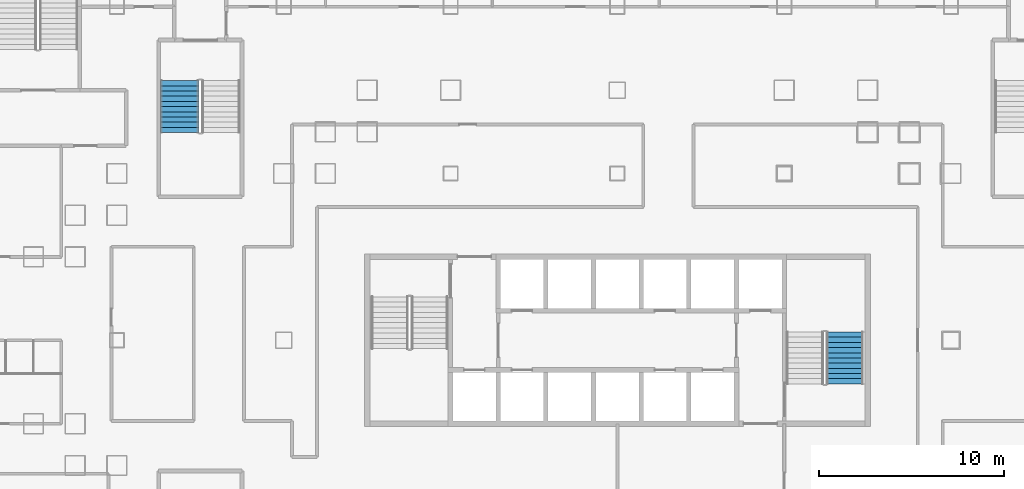
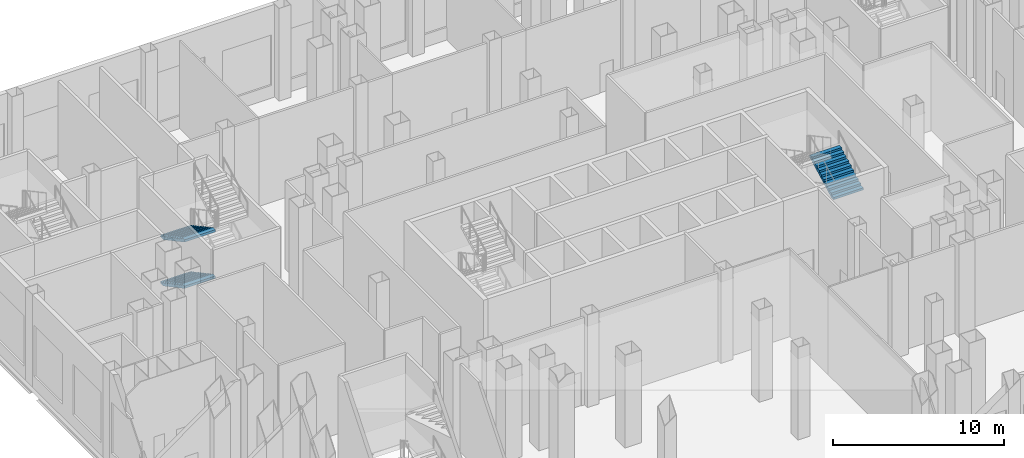
# One storey, part 14 of 26: 3 stair flights, 2 elements without a shape of their own.
"""IFC4 building model written with IfcOpenShell, lengths in metres."""

from ifc_helpers import new_model, si_unit, direction, frame, origin, place, context, subcontext, project, spatial, polygons, material, type_object, element, aggregate, save


model = new_model("IFC4")

# Units and contexts
model_context = context("Model", 3, precision=1e-05, world=origin(), true_north=direction((0.0, 1.0)))
body_context = subcontext(model_context, "Body", "Model", "MODEL_VIEW")
ifc_project = project(units=[si_unit("LENGTHUNIT", "METRE"), si_unit("AREAUNIT", "SQUARE_METRE"), si_unit("VOLUMEUNIT", "CUBIC_METRE"), si_unit("PLANEANGLEUNIT", "RADIAN"), si_unit("MASSUNIT", "GRAM", prefix="KILO")], contexts=[model_context])

# Site, building, storey
site_placement = place(None, origin())
site = spatial("IfcSite", under=ifc_project, at=site_placement, CompositionType="ELEMENT")
building_placement = place(site_placement, origin())
building = spatial("IfcBuilding", under=site, at=building_placement, Name="Caravel Reach Hotel and Residences", CompositionType="ELEMENT")
storey_placement = place(building_placement, frame((0.0, 0.0, 17.39990234375)))
storey = spatial("IfcBuildingStorey", under=building, at=storey_placement, Name="L03", CompositionType="ELEMENT", Elevation=17.39990234375)

# Stair, stair flight
ifc_material_1 = material(Name="Concrete C40", Category="concrete")
stair_type = type_object("IfcStairType", Name="Core stair", PredefinedType="HALF_TURN_STAIR", material=ifc_material_1)
stair_1_placement = place(storey_placement, origin())
stair_1 = element("IfcStair", 1, at=stair_1_placement, inside=storey, type_object=stair_type, Name="L03 Exit stair B", PredefinedType="HALF_TURN_STAIR")
ifc_material_2 = material(Name="Concrete C40", Category="concrete")
stair_flight_type = type_object("IfcStairFlightType", Name="Core stair flight", PredefinedType="STRAIGHT", material=ifc_material_2)
stair_flight_1_placement = place(storey_placement, frame((43.77490234375, 24.64990234375, 3.300048828125), z_axis=(0.0, 0.0, 1.0), x_axis=(0.0, 1.0, 0.0)))
stair_flight_1 = element("IfcStairFlight", 2, at=stair_flight_1_placement, type_object=stair_flight_type, Name="ST-B flight 3", NumberOfRisers=11, NumberOfTreads=10, PredefinedType="STRAIGHT", RiserHeight=0.15, TreadLength=0.28, context=body_context, shape_type="Tessellation", body=[
    polygons([(0.3174408016601862, 1.0, 0.0), (0.3174408016601862, 0.6666666666666667, 0.0), (0.3174408016601862, 0.33333333333333337, 0.0), (0.3174408016601862, 0.0, 0.0), (0.3174408016601862, -0.33333333333333326, 0.0), (0.3174408016601862, -0.6666666666666667, 0.0), (0.3174408016601862, -1.0, 0.0), (2.801, 1.0, 1.329942427682043), (2.801, 0.6666666666666667, 1.329942427682043), (2.801, 0.33333333333333337, 1.329942427682043), (2.801, 0.0, 1.329942427682043), (2.801, -0.33333333333333326, 1.329942427682043), (2.801, -0.6666666666666667, 1.329942427682043), (2.801, -1.0, 1.329942427682043), (2.801, 1.0, 1.5), (2.801, 0.6666666666666667, 1.5), (2.801, 0.33333333333333337, 1.5), (2.801, 0.0, 1.5), (2.801, -0.33333333333333326, 1.5), (2.801, -0.6666666666666667, 1.5), (2.801, -1.0, 1.5), (2.5200000000000005, 1.0, 1.5), (2.5200000000000005, 0.6666666666666667, 1.5), (2.5200000000000005, 0.33333333333333337, 1.5), (2.5200000000000005, 0.0, 1.5), (2.5200000000000005, -0.33333333333333326, 1.5), (2.5200000000000005, -0.6666666666666667, 1.5), (2.5200000000000005, -1.0, 1.5), (2.5200000000000005, 1.0, 1.3499999999999999), (2.5200000000000005, 0.6666666666666667, 1.3499999999999999), (2.5200000000000005, 0.33333333333333337, 1.3499999999999999), (2.5200000000000005, 0.0, 1.3499999999999999), (2.5200000000000005, -0.33333333333333326, 1.3499999999999999), (2.5200000000000005, -0.6666666666666667, 1.3499999999999999), (2.5200000000000005, -1.0, 1.3499999999999999), (2.24, 1.0, 1.3499999999999999), (2.24, 0.6666666666666667, 1.3499999999999999), (2.24, 0.33333333333333337, 1.3499999999999999), (2.24, 0.0, 1.3499999999999999), (2.24, -0.33333333333333326, 1.3499999999999999), (2.24, -0.6666666666666667, 1.3499999999999999), (2.24, -1.0, 1.3499999999999999), (2.24, 1.0, 1.2), (2.24, 0.6666666666666667, 1.2), (2.24, 0.33333333333333337, 1.2), (2.24, 0.0, 1.2), (2.24, -0.33333333333333326, 1.2), (2.24, -0.6666666666666667, 1.2), (2.24, -1.0, 1.2), (1.9600000000000002, 1.0, 1.2), (1.9600000000000002, 0.6666666666666667, 1.2), (1.9600000000000002, 0.33333333333333337, 1.2), (1.9600000000000002, 0.0, 1.2), (1.9600000000000002, -0.33333333333333326, 1.2), (1.9600000000000002, -0.6666666666666667, 1.2), (1.9600000000000002, -1.0, 1.2), (1.9600000000000002, 1.0, 1.05), (1.9600000000000002, 0.6666666666666667, 1.05), (1.9600000000000002, 0.33333333333333337, 1.05), (1.9600000000000002, 0.0, 1.05), (1.9600000000000002, -0.33333333333333326, 1.05), (1.9600000000000002, -0.6666666666666667, 1.05), (1.9600000000000002, -1.0, 1.05), (1.6800000000000002, 1.0, 1.05), (1.6800000000000002, 0.6666666666666667, 1.05), (1.6800000000000002, 0.33333333333333337, 1.05), (1.6800000000000002, 0.0, 1.05), (1.6800000000000002, -0.33333333333333326, 1.05), (1.6800000000000002, -0.6666666666666667, 1.05), (1.6800000000000002, -1.0, 1.05), (1.6800000000000002, 1.0, 0.8999999999999999), (1.6800000000000002, 0.6666666666666667, 0.8999999999999999), (1.6800000000000002, 0.33333333333333337, 0.8999999999999999), (1.6800000000000002, 0.0, 0.8999999999999999), (1.6800000000000002, -0.33333333333333326, 0.8999999999999999), (1.6800000000000002, -0.6666666666666667, 0.8999999999999999), (1.6800000000000002, -1.0, 0.8999999999999999), (1.4000000000000001, 1.0, 0.8999999999999999), (1.4000000000000001, 0.6666666666666667, 0.8999999999999999), (1.4000000000000001, 0.33333333333333337, 0.8999999999999999), (1.4000000000000001, 0.0, 0.8999999999999999), (1.4000000000000001, -0.33333333333333326, 0.8999999999999999), (1.4000000000000001, -0.6666666666666667, 0.8999999999999999), (1.4000000000000001, -1.0, 0.8999999999999999), (1.4000000000000001, 1.0, 0.75), (1.4000000000000001, 0.6666666666666667, 0.75), (1.4000000000000001, 0.33333333333333337, 0.75), (1.4000000000000001, 0.0, 0.75), (1.4000000000000001, -0.33333333333333326, 0.75), (1.4000000000000001, -0.6666666666666667, 0.75), (1.4000000000000001, -1.0, 0.75), (1.12, 1.0, 0.75), (1.12, 0.6666666666666667, 0.75), (1.12, 0.33333333333333337, 0.75), (1.12, 0.0, 0.75), (1.12, -0.33333333333333326, 0.75), (1.12, -0.6666666666666667, 0.75), (1.12, -1.0, 0.75), (1.12, 1.0, 0.6), (1.12, 0.6666666666666667, 0.6), (1.12, 0.33333333333333337, 0.6), (1.12, 0.0, 0.6), (1.12, -0.33333333333333326, 0.6), (1.12, -0.6666666666666667, 0.6), (1.12, -1.0, 0.6), (0.8400000000000001, 1.0, 0.6), (0.8400000000000001, 0.6666666666666667, 0.6), (0.8400000000000001, 0.33333333333333337, 0.6), (0.8400000000000001, 0.0, 0.6), (0.8400000000000001, -0.33333333333333326, 0.6), (0.8400000000000001, -0.6666666666666667, 0.6), (0.8400000000000001, -1.0, 0.6), (0.8400000000000001, 1.0, 0.44999999999999996), (0.8400000000000001, 0.6666666666666667, 0.44999999999999996), (0.8400000000000001, 0.33333333333333337, 0.44999999999999996), (0.8400000000000001, 0.0, 0.44999999999999996), (0.8400000000000001, -0.33333333333333326, 0.44999999999999996), (0.8400000000000001, -0.6666666666666667, 0.44999999999999996), (0.8400000000000001, -1.0, 0.44999999999999996), (0.56, 1.0, 0.44999999999999996), (0.56, 0.6666666666666667, 0.44999999999999996), (0.56, 0.33333333333333337, 0.44999999999999996), (0.56, 0.0, 0.44999999999999996), (0.56, -0.33333333333333326, 0.44999999999999996), (0.56, -0.6666666666666667, 0.44999999999999996), (0.56, -1.0, 0.44999999999999996), (0.56, 1.0, 0.3), (0.56, 0.6666666666666667, 0.3), (0.56, 0.33333333333333337, 0.3), (0.56, 0.0, 0.3), (0.56, -0.33333333333333326, 0.3), (0.56, -0.6666666666666667, 0.3), (0.56, -1.0, 0.3), (0.28, 1.0, 0.3), (0.28, 0.6666666666666667, 0.3), (0.28, 0.33333333333333337, 0.3), (0.28, 0.0, 0.3), (0.28, -0.33333333333333326, 0.3), (0.28, -0.6666666666666667, 0.3), (0.28, -1.0, 0.3), (0.28, 1.0, 0.15), (0.28, 0.6666666666666667, 0.15), (0.28, 0.33333333333333337, 0.15), (0.28, 0.0, 0.15), (0.28, -0.33333333333333326, 0.15), (0.28, -0.6666666666666667, 0.15), (0.28, -1.0, 0.15), (-0.001, 1.0, 0.15), (-0.001, 0.6666666666666667, 0.15), (-0.001, 0.33333333333333337, 0.15), (-0.001, 0.0, 0.15), (-0.001, -0.33333333333333326, 0.15), (-0.001, -0.6666666666666667, 0.15), (-0.001, -1.0, 0.15), (-0.001, 1.0, 0.0), (-0.001, 0.6666666666666667, 0.0), (-0.001, 0.33333333333333337, 0.0), (-0.001, 0.0, 0.0), (-0.001, -0.33333333333333326, 0.0), (-0.001, -0.6666666666666667, 0.0), (-0.001, -1.0, 0.0)], [[[155, 148, 141, 134, 127, 120, 113, 106, 99, 92, 85, 78, 71, 64, 57, 50, 43, 36, 29, 22, 15, 8, 1]], [[7, 14, 21, 28, 35, 42, 49, 56, 63, 70, 77, 84, 91, 98, 105, 112, 119, 126, 133, 140, 147, 154, 161]], [[1, 8, 9, 2]], [[2, 9, 10, 3]], [[3, 10, 11, 4]], [[4, 11, 12, 5]], [[5, 12, 13, 6]], [[6, 13, 14, 7]], [[8, 15, 16, 9]], [[9, 16, 17, 10]], [[10, 17, 18, 11]], [[11, 18, 19, 12]], [[12, 19, 20, 13]], [[13, 20, 21, 14]], [[15, 22, 23, 16]], [[16, 23, 24, 17]], [[17, 24, 25, 18]], [[18, 25, 26, 19]], [[19, 26, 27, 20]], [[20, 27, 28, 21]], [[22, 29, 30, 23]], [[23, 30, 31, 24]], [[24, 31, 32, 25]], [[25, 32, 33, 26]], [[26, 33, 34, 27]], [[27, 34, 35, 28]], [[29, 36, 37, 30]], [[30, 37, 38, 31]], [[31, 38, 39, 32]], [[32, 39, 40, 33]], [[33, 40, 41, 34]], [[34, 41, 42, 35]], [[36, 43, 44, 37]], [[37, 44, 45, 38]], [[38, 45, 46, 39]], [[39, 46, 47, 40]], [[40, 47, 48, 41]], [[41, 48, 49, 42]], [[43, 50, 51, 44]], [[44, 51, 52, 45]], [[45, 52, 53, 46]], [[46, 53, 54, 47]], [[47, 54, 55, 48]], [[48, 55, 56, 49]], [[50, 57, 58, 51]], [[51, 58, 59, 52]], [[52, 59, 60, 53]], [[53, 60, 61, 54]], [[54, 61, 62, 55]], [[55, 62, 63, 56]], [[57, 64, 65, 58]], [[58, 65, 66, 59]], [[59, 66, 67, 60]], [[60, 67, 68, 61]], [[61, 68, 69, 62]], [[62, 69, 70, 63]], [[64, 71, 72, 65]], [[65, 72, 73, 66]], [[66, 73, 74, 67]], [[67, 74, 75, 68]], [[68, 75, 76, 69]], [[69, 76, 77, 70]], [[71, 78, 79, 72]], [[72, 79, 80, 73]], [[73, 80, 81, 74]], [[74, 81, 82, 75]], [[75, 82, 83, 76]], [[76, 83, 84, 77]], [[78, 85, 86, 79]], [[79, 86, 87, 80]], [[80, 87, 88, 81]], [[81, 88, 89, 82]], [[82, 89, 90, 83]], [[83, 90, 91, 84]], [[85, 92, 93, 86]], [[86, 93, 94, 87]], [[87, 94, 95, 88]], [[88, 95, 96, 89]], [[89, 96, 97, 90]], [[90, 97, 98, 91]], [[92, 99, 100, 93]], [[93, 100, 101, 94]], [[94, 101, 102, 95]], [[95, 102, 103, 96]], [[96, 103, 104, 97]], [[97, 104, 105, 98]], [[99, 106, 107, 100]], [[100, 107, 108, 101]], [[101, 108, 109, 102]], [[102, 109, 110, 103]], [[103, 110, 111, 104]], [[104, 111, 112, 105]], [[106, 113, 114, 107]], [[107, 114, 115, 108]], [[108, 115, 116, 109]], [[109, 116, 117, 110]], [[110, 117, 118, 111]], [[111, 118, 119, 112]], [[113, 120, 121, 114]], [[114, 121, 122, 115]], [[115, 122, 123, 116]], [[116, 123, 124, 117]], [[117, 124, 125, 118]], [[118, 125, 126, 119]], [[120, 127, 128, 121]], [[121, 128, 129, 122]], [[122, 129, 130, 123]], [[123, 130, 131, 124]], [[124, 131, 132, 125]], [[125, 132, 133, 126]], [[127, 134, 135, 128]], [[128, 135, 136, 129]], [[129, 136, 137, 130]], [[130, 137, 138, 131]], [[131, 138, 139, 132]], [[132, 139, 140, 133]], [[134, 141, 142, 135]], [[135, 142, 143, 136]], [[136, 143, 144, 137]], [[137, 144, 145, 138]], [[138, 145, 146, 139]], [[139, 146, 147, 140]], [[141, 148, 149, 142]], [[142, 149, 150, 143]], [[143, 150, 151, 144]], [[144, 151, 152, 145]], [[145, 152, 153, 146]], [[146, 153, 154, 147]], [[148, 155, 156, 149]], [[149, 156, 157, 150]], [[150, 157, 158, 151]], [[151, 158, 159, 152]], [[152, 159, 160, 153]], [[153, 160, 161, 154]], [[155, 1, 2, 156]], [[156, 2, 3, 157]], [[157, 3, 4, 158]], [[158, 4, 5, 159]], [[159, 5, 6, 160]], [[160, 6, 7, 161]]], closed=True),
])
aggregate(stair_1, [stair_flight_1])

# Stair, stair flights
stair_2_placement = place(storey_placement, origin())
stair_2 = element("IfcStair", 3, at=stair_2_placement, inside=storey, type_object=stair_type, Name="L03 Exit stair P1", PredefinedType="HALF_TURN_STAIR")
stair_flight_2_placement = place(storey_placement, frame((7.889892578125, 41.010009765625, 0.0), z_axis=(0.0, 0.0, 1.0), x_axis=(0.0, -1.0, 0.0)))
stair_flight_2 = element("IfcStairFlight", 4, at=stair_flight_2_placement, type_object=stair_flight_type, Name="ST-P1 flight 1", NumberOfRisers=11, NumberOfTreads=10, PredefinedType="STRAIGHT", RiserHeight=0.15, TreadLength=0.28, context=body_context, shape_type="Tessellation", body=[
    polygons([(0.3174408016601862, 1.0350341796875, 0.0), (0.3174408016601862, 0.6900227864583333, 0.0), (0.3174408016601862, 0.34501139322916663, 0.0), (0.3174408016601862, 0.0, 0.0), (0.3174408016601862, -0.34501139322916674, 0.0), (0.3174408016601862, -0.6900227864583333, 0.0), (0.3174408016601862, -1.0350341796875, 0.0), (2.801, 1.0350341796875, 1.329942427682043), (2.801, 0.6900227864583333, 1.329942427682043), (2.801, 0.34501139322916663, 1.329942427682043), (2.801, 0.0, 1.329942427682043), (2.801, -0.34501139322916674, 1.329942427682043), (2.801, -0.6900227864583333, 1.329942427682043), (2.801, -1.0350341796875, 1.329942427682043), (2.801, 1.0350341796875, 1.5), (2.801, 0.6900227864583333, 1.5), (2.801, 0.34501139322916663, 1.5), (2.801, 0.0, 1.5), (2.801, -0.34501139322916674, 1.5), (2.801, -0.6900227864583333, 1.5), (2.801, -1.0350341796875, 1.5), (2.5200000000000005, 1.0350341796875, 1.5), (2.5200000000000005, 0.6900227864583333, 1.5), (2.5200000000000005, 0.34501139322916663, 1.5), (2.5200000000000005, 0.0, 1.5), (2.5200000000000005, -0.34501139322916674, 1.5), (2.5200000000000005, -0.6900227864583333, 1.5), (2.5200000000000005, -1.0350341796875, 1.5), (2.5200000000000005, 1.0350341796875, 1.3499999999999999), (2.5200000000000005, 0.6900227864583333, 1.3499999999999999), (2.5200000000000005, 0.34501139322916663, 1.3499999999999999), (2.5200000000000005, 0.0, 1.3499999999999999), (2.5200000000000005, -0.34501139322916674, 1.3499999999999999), (2.5200000000000005, -0.6900227864583333, 1.3499999999999999), (2.5200000000000005, -1.0350341796875, 1.3499999999999999), (2.24, 1.0350341796875, 1.3499999999999999), (2.24, 0.6900227864583333, 1.3499999999999999), (2.24, 0.34501139322916663, 1.3499999999999999), (2.24, 0.0, 1.3499999999999999), (2.24, -0.34501139322916674, 1.3499999999999999), (2.24, -0.6900227864583333, 1.3499999999999999), (2.24, -1.0350341796875, 1.3499999999999999), (2.24, 1.0350341796875, 1.2), (2.24, 0.6900227864583333, 1.2), (2.24, 0.34501139322916663, 1.2), (2.24, 0.0, 1.2), (2.24, -0.34501139322916674, 1.2), (2.24, -0.6900227864583333, 1.2), (2.24, -1.0350341796875, 1.2), (1.9600000000000002, 1.0350341796875, 1.2), (1.9600000000000002, 0.6900227864583333, 1.2), (1.9600000000000002, 0.34501139322916663, 1.2), (1.9600000000000002, 0.0, 1.2), (1.9600000000000002, -0.34501139322916674, 1.2), (1.9600000000000002, -0.6900227864583333, 1.2), (1.9600000000000002, -1.0350341796875, 1.2), (1.9600000000000002, 1.0350341796875, 1.05), (1.9600000000000002, 0.6900227864583333, 1.05), (1.9600000000000002, 0.34501139322916663, 1.05), (1.9600000000000002, 0.0, 1.05), (1.9600000000000002, -0.34501139322916674, 1.05), (1.9600000000000002, -0.6900227864583333, 1.05), (1.9600000000000002, -1.0350341796875, 1.05), (1.6800000000000002, 1.0350341796875, 1.05), (1.6800000000000002, 0.6900227864583333, 1.05), (1.6800000000000002, 0.34501139322916663, 1.05), (1.6800000000000002, 0.0, 1.05), (1.6800000000000002, -0.34501139322916674, 1.05), (1.6800000000000002, -0.6900227864583333, 1.05), (1.6800000000000002, -1.0350341796875, 1.05), (1.6800000000000002, 1.0350341796875, 0.8999999999999999), (1.6800000000000002, 0.6900227864583333, 0.8999999999999999), (1.6800000000000002, 0.34501139322916663, 0.8999999999999999), (1.6800000000000002, 0.0, 0.8999999999999999), (1.6800000000000002, -0.34501139322916674, 0.8999999999999999), (1.6800000000000002, -0.6900227864583333, 0.8999999999999999), (1.6800000000000002, -1.0350341796875, 0.8999999999999999), (1.4000000000000001, 1.0350341796875, 0.8999999999999999), (1.4000000000000001, 0.6900227864583333, 0.8999999999999999), (1.4000000000000001, 0.34501139322916663, 0.8999999999999999), (1.4000000000000001, 0.0, 0.8999999999999999), (1.4000000000000001, -0.34501139322916674, 0.8999999999999999), (1.4000000000000001, -0.6900227864583333, 0.8999999999999999), (1.4000000000000001, -1.0350341796875, 0.8999999999999999), (1.4000000000000001, 1.0350341796875, 0.75), (1.4000000000000001, 0.6900227864583333, 0.75), (1.4000000000000001, 0.34501139322916663, 0.75), (1.4000000000000001, 0.0, 0.75), (1.4000000000000001, -0.34501139322916674, 0.75), (1.4000000000000001, -0.6900227864583333, 0.75), (1.4000000000000001, -1.0350341796875, 0.75), (1.12, 1.0350341796875, 0.75), (1.12, 0.6900227864583333, 0.75), (1.12, 0.34501139322916663, 0.75), (1.12, 0.0, 0.75), (1.12, -0.34501139322916674, 0.75), (1.12, -0.6900227864583333, 0.75), (1.12, -1.0350341796875, 0.75), (1.12, 1.0350341796875, 0.6), (1.12, 0.6900227864583333, 0.6), (1.12, 0.34501139322916663, 0.6), (1.12, 0.0, 0.6), (1.12, -0.34501139322916674, 0.6), (1.12, -0.6900227864583333, 0.6), (1.12, -1.0350341796875, 0.6), (0.8400000000000001, 1.0350341796875, 0.6), (0.8400000000000001, 0.6900227864583333, 0.6), (0.8400000000000001, 0.34501139322916663, 0.6), (0.8400000000000001, 0.0, 0.6), (0.8400000000000001, -0.34501139322916674, 0.6), (0.8400000000000001, -0.6900227864583333, 0.6), (0.8400000000000001, -1.0350341796875, 0.6), (0.8400000000000001, 1.0350341796875, 0.44999999999999996), (0.8400000000000001, 0.6900227864583333, 0.44999999999999996), (0.8400000000000001, 0.34501139322916663, 0.44999999999999996), (0.8400000000000001, 0.0, 0.44999999999999996), (0.8400000000000001, -0.34501139322916674, 0.44999999999999996), (0.8400000000000001, -0.6900227864583333, 0.44999999999999996), (0.8400000000000001, -1.0350341796875, 0.44999999999999996), (0.56, 1.0350341796875, 0.44999999999999996), (0.56, 0.6900227864583333, 0.44999999999999996), (0.56, 0.34501139322916663, 0.44999999999999996), (0.56, 0.0, 0.44999999999999996), (0.56, -0.34501139322916674, 0.44999999999999996), (0.56, -0.6900227864583333, 0.44999999999999996), (0.56, -1.0350341796875, 0.44999999999999996), (0.56, 1.0350341796875, 0.3), (0.56, 0.6900227864583333, 0.3), (0.56, 0.34501139322916663, 0.3), (0.56, 0.0, 0.3), (0.56, -0.34501139322916674, 0.3), (0.56, -0.6900227864583333, 0.3), (0.56, -1.0350341796875, 0.3), (0.28, 1.0350341796875, 0.3), (0.28, 0.6900227864583333, 0.3), (0.28, 0.34501139322916663, 0.3), (0.28, 0.0, 0.3), (0.28, -0.34501139322916674, 0.3), (0.28, -0.6900227864583333, 0.3), (0.28, -1.0350341796875, 0.3), (0.28, 1.0350341796875, 0.15), (0.28, 0.6900227864583333, 0.15), (0.28, 0.34501139322916663, 0.15), (0.28, 0.0, 0.15), (0.28, -0.34501139322916674, 0.15), (0.28, -0.6900227864583333, 0.15), (0.28, -1.0350341796875, 0.15), (-0.001, 1.0350341796875, 0.15), (-0.001, 0.6900227864583333, 0.15), (-0.001, 0.34501139322916663, 0.15), (-0.001, 0.0, 0.15), (-0.001, -0.34501139322916674, 0.15), (-0.001, -0.6900227864583333, 0.15), (-0.001, -1.0350341796875, 0.15), (-0.001, 1.0350341796875, 0.0), (-0.001, 0.6900227864583333, 0.0), (-0.001, 0.34501139322916663, 0.0), (-0.001, 0.0, 0.0), (-0.001, -0.34501139322916674, 0.0), (-0.001, -0.6900227864583333, 0.0), (-0.001, -1.0350341796875, 0.0)], [[[155, 148, 141, 134, 127, 120, 113, 106, 99, 92, 85, 78, 71, 64, 57, 50, 43, 36, 29, 22, 15, 8, 1]], [[7, 14, 21, 28, 35, 42, 49, 56, 63, 70, 77, 84, 91, 98, 105, 112, 119, 126, 133, 140, 147, 154, 161]], [[1, 8, 9, 2]], [[2, 9, 10, 3]], [[3, 10, 11, 4]], [[4, 11, 12, 5]], [[5, 12, 13, 6]], [[6, 13, 14, 7]], [[8, 15, 16, 9]], [[9, 16, 17, 10]], [[10, 17, 18, 11]], [[11, 18, 19, 12]], [[12, 19, 20, 13]], [[13, 20, 21, 14]], [[15, 22, 23, 16]], [[16, 23, 24, 17]], [[17, 24, 25, 18]], [[18, 25, 26, 19]], [[19, 26, 27, 20]], [[20, 27, 28, 21]], [[22, 29, 30, 23]], [[23, 30, 31, 24]], [[24, 31, 32, 25]], [[25, 32, 33, 26]], [[26, 33, 34, 27]], [[27, 34, 35, 28]], [[29, 36, 37, 30]], [[30, 37, 38, 31]], [[31, 38, 39, 32]], [[32, 39, 40, 33]], [[33, 40, 41, 34]], [[34, 41, 42, 35]], [[36, 43, 44, 37]], [[37, 44, 45, 38]], [[38, 45, 46, 39]], [[39, 46, 47, 40]], [[40, 47, 48, 41]], [[41, 48, 49, 42]], [[43, 50, 51, 44]], [[44, 51, 52, 45]], [[45, 52, 53, 46]], [[46, 53, 54, 47]], [[47, 54, 55, 48]], [[48, 55, 56, 49]], [[50, 57, 58, 51]], [[51, 58, 59, 52]], [[52, 59, 60, 53]], [[53, 60, 61, 54]], [[54, 61, 62, 55]], [[55, 62, 63, 56]], [[57, 64, 65, 58]], [[58, 65, 66, 59]], [[59, 66, 67, 60]], [[60, 67, 68, 61]], [[61, 68, 69, 62]], [[62, 69, 70, 63]], [[64, 71, 72, 65]], [[65, 72, 73, 66]], [[66, 73, 74, 67]], [[67, 74, 75, 68]], [[68, 75, 76, 69]], [[69, 76, 77, 70]], [[71, 78, 79, 72]], [[72, 79, 80, 73]], [[73, 80, 81, 74]], [[74, 81, 82, 75]], [[75, 82, 83, 76]], [[76, 83, 84, 77]], [[78, 85, 86, 79]], [[79, 86, 87, 80]], [[80, 87, 88, 81]], [[81, 88, 89, 82]], [[82, 89, 90, 83]], [[83, 90, 91, 84]], [[85, 92, 93, 86]], [[86, 93, 94, 87]], [[87, 94, 95, 88]], [[88, 95, 96, 89]], [[89, 96, 97, 90]], [[90, 97, 98, 91]], [[92, 99, 100, 93]], [[93, 100, 101, 94]], [[94, 101, 102, 95]], [[95, 102, 103, 96]], [[96, 103, 104, 97]], [[97, 104, 105, 98]], [[99, 106, 107, 100]], [[100, 107, 108, 101]], [[101, 108, 109, 102]], [[102, 109, 110, 103]], [[103, 110, 111, 104]], [[104, 111, 112, 105]], [[106, 113, 114, 107]], [[107, 114, 115, 108]], [[108, 115, 116, 109]], [[109, 116, 117, 110]], [[110, 117, 118, 111]], [[111, 118, 119, 112]], [[113, 120, 121, 114]], [[114, 121, 122, 115]], [[115, 122, 123, 116]], [[116, 123, 124, 117]], [[117, 124, 125, 118]], [[118, 125, 126, 119]], [[120, 127, 128, 121]], [[121, 128, 129, 122]], [[122, 129, 130, 123]], [[123, 130, 131, 124]], [[124, 131, 132, 125]], [[125, 132, 133, 126]], [[127, 134, 135, 128]], [[128, 135, 136, 129]], [[129, 136, 137, 130]], [[130, 137, 138, 131]], [[131, 138, 139, 132]], [[132, 139, 140, 133]], [[134, 141, 142, 135]], [[135, 142, 143, 136]], [[136, 143, 144, 137]], [[137, 144, 145, 138]], [[138, 145, 146, 139]], [[139, 146, 147, 140]], [[141, 148, 149, 142]], [[142, 149, 150, 143]], [[143, 150, 151, 144]], [[144, 151, 152, 145]], [[145, 152, 153, 146]], [[146, 153, 154, 147]], [[148, 155, 156, 149]], [[149, 156, 157, 150]], [[150, 157, 158, 151]], [[151, 158, 159, 152]], [[152, 159, 160, 153]], [[153, 160, 161, 154]], [[155, 1, 2, 156]], [[156, 2, 3, 157]], [[157, 3, 4, 158]], [[158, 4, 5, 159]], [[159, 5, 6, 160]], [[160, 6, 7, 161]]], closed=True),
])
stair_flight_3_placement = place(storey_placement, frame((7.889892578125, 41.010009765625, 3.300048828125), z_axis=(0.0, 0.0, 1.0), x_axis=(0.0, -1.0, 0.0)))
stair_flight_3 = element("IfcStairFlight", 5, at=stair_flight_3_placement, type_object=stair_flight_type, Name="ST-P1 flight 3", NumberOfRisers=11, NumberOfTreads=10, PredefinedType="STRAIGHT", RiserHeight=0.15, TreadLength=0.28, context=body_context, shape_type="Tessellation", body=[
    polygons([(0.3174408016601862, 1.0350341796875, 0.0), (0.3174408016601862, 0.6900227864583333, 0.0), (0.3174408016601862, 0.34501139322916663, 0.0), (0.3174408016601862, 0.0, 0.0), (0.3174408016601862, -0.34501139322916674, 0.0), (0.3174408016601862, -0.6900227864583333, 0.0), (0.3174408016601862, -1.0350341796875, 0.0), (2.801, 1.0350341796875, 1.329942427682043), (2.801, 0.6900227864583333, 1.329942427682043), (2.801, 0.34501139322916663, 1.329942427682043), (2.801, 0.0, 1.329942427682043), (2.801, -0.34501139322916674, 1.329942427682043), (2.801, -0.6900227864583333, 1.329942427682043), (2.801, -1.0350341796875, 1.329942427682043), (2.801, 1.0350341796875, 1.5), (2.801, 0.6900227864583333, 1.5), (2.801, 0.34501139322916663, 1.5), (2.801, 0.0, 1.5), (2.801, -0.34501139322916674, 1.5), (2.801, -0.6900227864583333, 1.5), (2.801, -1.0350341796875, 1.5), (2.5200000000000005, 1.0350341796875, 1.5), (2.5200000000000005, 0.6900227864583333, 1.5), (2.5200000000000005, 0.34501139322916663, 1.5), (2.5200000000000005, 0.0, 1.5), (2.5200000000000005, -0.34501139322916674, 1.5), (2.5200000000000005, -0.6900227864583333, 1.5), (2.5200000000000005, -1.0350341796875, 1.5), (2.5200000000000005, 1.0350341796875, 1.3499999999999999), (2.5200000000000005, 0.6900227864583333, 1.3499999999999999), (2.5200000000000005, 0.34501139322916663, 1.3499999999999999), (2.5200000000000005, 0.0, 1.3499999999999999), (2.5200000000000005, -0.34501139322916674, 1.3499999999999999), (2.5200000000000005, -0.6900227864583333, 1.3499999999999999), (2.5200000000000005, -1.0350341796875, 1.3499999999999999), (2.24, 1.0350341796875, 1.3499999999999999), (2.24, 0.6900227864583333, 1.3499999999999999), (2.24, 0.34501139322916663, 1.3499999999999999), (2.24, 0.0, 1.3499999999999999), (2.24, -0.34501139322916674, 1.3499999999999999), (2.24, -0.6900227864583333, 1.3499999999999999), (2.24, -1.0350341796875, 1.3499999999999999), (2.24, 1.0350341796875, 1.2), (2.24, 0.6900227864583333, 1.2), (2.24, 0.34501139322916663, 1.2), (2.24, 0.0, 1.2), (2.24, -0.34501139322916674, 1.2), (2.24, -0.6900227864583333, 1.2), (2.24, -1.0350341796875, 1.2), (1.9600000000000002, 1.0350341796875, 1.2), (1.9600000000000002, 0.6900227864583333, 1.2), (1.9600000000000002, 0.34501139322916663, 1.2), (1.9600000000000002, 0.0, 1.2), (1.9600000000000002, -0.34501139322916674, 1.2), (1.9600000000000002, -0.6900227864583333, 1.2), (1.9600000000000002, -1.0350341796875, 1.2), (1.9600000000000002, 1.0350341796875, 1.05), (1.9600000000000002, 0.6900227864583333, 1.05), (1.9600000000000002, 0.34501139322916663, 1.05), (1.9600000000000002, 0.0, 1.05), (1.9600000000000002, -0.34501139322916674, 1.05), (1.9600000000000002, -0.6900227864583333, 1.05), (1.9600000000000002, -1.0350341796875, 1.05), (1.6800000000000002, 1.0350341796875, 1.05), (1.6800000000000002, 0.6900227864583333, 1.05), (1.6800000000000002, 0.34501139322916663, 1.05), (1.6800000000000002, 0.0, 1.05), (1.6800000000000002, -0.34501139322916674, 1.05), (1.6800000000000002, -0.6900227864583333, 1.05), (1.6800000000000002, -1.0350341796875, 1.05), (1.6800000000000002, 1.0350341796875, 0.8999999999999999), (1.6800000000000002, 0.6900227864583333, 0.8999999999999999), (1.6800000000000002, 0.34501139322916663, 0.8999999999999999), (1.6800000000000002, 0.0, 0.8999999999999999), (1.6800000000000002, -0.34501139322916674, 0.8999999999999999), (1.6800000000000002, -0.6900227864583333, 0.8999999999999999), (1.6800000000000002, -1.0350341796875, 0.8999999999999999), (1.4000000000000001, 1.0350341796875, 0.8999999999999999), (1.4000000000000001, 0.6900227864583333, 0.8999999999999999), (1.4000000000000001, 0.34501139322916663, 0.8999999999999999), (1.4000000000000001, 0.0, 0.8999999999999999), (1.4000000000000001, -0.34501139322916674, 0.8999999999999999), (1.4000000000000001, -0.6900227864583333, 0.8999999999999999), (1.4000000000000001, -1.0350341796875, 0.8999999999999999), (1.4000000000000001, 1.0350341796875, 0.75), (1.4000000000000001, 0.6900227864583333, 0.75), (1.4000000000000001, 0.34501139322916663, 0.75), (1.4000000000000001, 0.0, 0.75), (1.4000000000000001, -0.34501139322916674, 0.75), (1.4000000000000001, -0.6900227864583333, 0.75), (1.4000000000000001, -1.0350341796875, 0.75), (1.12, 1.0350341796875, 0.75), (1.12, 0.6900227864583333, 0.75), (1.12, 0.34501139322916663, 0.75), (1.12, 0.0, 0.75), (1.12, -0.34501139322916674, 0.75), (1.12, -0.6900227864583333, 0.75), (1.12, -1.0350341796875, 0.75), (1.12, 1.0350341796875, 0.6), (1.12, 0.6900227864583333, 0.6), (1.12, 0.34501139322916663, 0.6), (1.12, 0.0, 0.6), (1.12, -0.34501139322916674, 0.6), (1.12, -0.6900227864583333, 0.6), (1.12, -1.0350341796875, 0.6), (0.8400000000000001, 1.0350341796875, 0.6), (0.8400000000000001, 0.6900227864583333, 0.6), (0.8400000000000001, 0.34501139322916663, 0.6), (0.8400000000000001, 0.0, 0.6), (0.8400000000000001, -0.34501139322916674, 0.6), (0.8400000000000001, -0.6900227864583333, 0.6), (0.8400000000000001, -1.0350341796875, 0.6), (0.8400000000000001, 1.0350341796875, 0.44999999999999996), (0.8400000000000001, 0.6900227864583333, 0.44999999999999996), (0.8400000000000001, 0.34501139322916663, 0.44999999999999996), (0.8400000000000001, 0.0, 0.44999999999999996), (0.8400000000000001, -0.34501139322916674, 0.44999999999999996), (0.8400000000000001, -0.6900227864583333, 0.44999999999999996), (0.8400000000000001, -1.0350341796875, 0.44999999999999996), (0.56, 1.0350341796875, 0.44999999999999996), (0.56, 0.6900227864583333, 0.44999999999999996), (0.56, 0.34501139322916663, 0.44999999999999996), (0.56, 0.0, 0.44999999999999996), (0.56, -0.34501139322916674, 0.44999999999999996), (0.56, -0.6900227864583333, 0.44999999999999996), (0.56, -1.0350341796875, 0.44999999999999996), (0.56, 1.0350341796875, 0.3), (0.56, 0.6900227864583333, 0.3), (0.56, 0.34501139322916663, 0.3), (0.56, 0.0, 0.3), (0.56, -0.34501139322916674, 0.3), (0.56, -0.6900227864583333, 0.3), (0.56, -1.0350341796875, 0.3), (0.28, 1.0350341796875, 0.3), (0.28, 0.6900227864583333, 0.3), (0.28, 0.34501139322916663, 0.3), (0.28, 0.0, 0.3), (0.28, -0.34501139322916674, 0.3), (0.28, -0.6900227864583333, 0.3), (0.28, -1.0350341796875, 0.3), (0.28, 1.0350341796875, 0.15), (0.28, 0.6900227864583333, 0.15), (0.28, 0.34501139322916663, 0.15), (0.28, 0.0, 0.15), (0.28, -0.34501139322916674, 0.15), (0.28, -0.6900227864583333, 0.15), (0.28, -1.0350341796875, 0.15), (-0.001, 1.0350341796875, 0.15), (-0.001, 0.6900227864583333, 0.15), (-0.001, 0.34501139322916663, 0.15), (-0.001, 0.0, 0.15), (-0.001, -0.34501139322916674, 0.15), (-0.001, -0.6900227864583333, 0.15), (-0.001, -1.0350341796875, 0.15), (-0.001, 1.0350341796875, 0.0), (-0.001, 0.6900227864583333, 0.0), (-0.001, 0.34501139322916663, 0.0), (-0.001, 0.0, 0.0), (-0.001, -0.34501139322916674, 0.0), (-0.001, -0.6900227864583333, 0.0), (-0.001, -1.0350341796875, 0.0)], [[[155, 148, 141, 134, 127, 120, 113, 106, 99, 92, 85, 78, 71, 64, 57, 50, 43, 36, 29, 22, 15, 8, 1]], [[7, 14, 21, 28, 35, 42, 49, 56, 63, 70, 77, 84, 91, 98, 105, 112, 119, 126, 133, 140, 147, 154, 161]], [[1, 8, 9, 2]], [[2, 9, 10, 3]], [[3, 10, 11, 4]], [[4, 11, 12, 5]], [[5, 12, 13, 6]], [[6, 13, 14, 7]], [[8, 15, 16, 9]], [[9, 16, 17, 10]], [[10, 17, 18, 11]], [[11, 18, 19, 12]], [[12, 19, 20, 13]], [[13, 20, 21, 14]], [[15, 22, 23, 16]], [[16, 23, 24, 17]], [[17, 24, 25, 18]], [[18, 25, 26, 19]], [[19, 26, 27, 20]], [[20, 27, 28, 21]], [[22, 29, 30, 23]], [[23, 30, 31, 24]], [[24, 31, 32, 25]], [[25, 32, 33, 26]], [[26, 33, 34, 27]], [[27, 34, 35, 28]], [[29, 36, 37, 30]], [[30, 37, 38, 31]], [[31, 38, 39, 32]], [[32, 39, 40, 33]], [[33, 40, 41, 34]], [[34, 41, 42, 35]], [[36, 43, 44, 37]], [[37, 44, 45, 38]], [[38, 45, 46, 39]], [[39, 46, 47, 40]], [[40, 47, 48, 41]], [[41, 48, 49, 42]], [[43, 50, 51, 44]], [[44, 51, 52, 45]], [[45, 52, 53, 46]], [[46, 53, 54, 47]], [[47, 54, 55, 48]], [[48, 55, 56, 49]], [[50, 57, 58, 51]], [[51, 58, 59, 52]], [[52, 59, 60, 53]], [[53, 60, 61, 54]], [[54, 61, 62, 55]], [[55, 62, 63, 56]], [[57, 64, 65, 58]], [[58, 65, 66, 59]], [[59, 66, 67, 60]], [[60, 67, 68, 61]], [[61, 68, 69, 62]], [[62, 69, 70, 63]], [[64, 71, 72, 65]], [[65, 72, 73, 66]], [[66, 73, 74, 67]], [[67, 74, 75, 68]], [[68, 75, 76, 69]], [[69, 76, 77, 70]], [[71, 78, 79, 72]], [[72, 79, 80, 73]], [[73, 80, 81, 74]], [[74, 81, 82, 75]], [[75, 82, 83, 76]], [[76, 83, 84, 77]], [[78, 85, 86, 79]], [[79, 86, 87, 80]], [[80, 87, 88, 81]], [[81, 88, 89, 82]], [[82, 89, 90, 83]], [[83, 90, 91, 84]], [[85, 92, 93, 86]], [[86, 93, 94, 87]], [[87, 94, 95, 88]], [[88, 95, 96, 89]], [[89, 96, 97, 90]], [[90, 97, 98, 91]], [[92, 99, 100, 93]], [[93, 100, 101, 94]], [[94, 101, 102, 95]], [[95, 102, 103, 96]], [[96, 103, 104, 97]], [[97, 104, 105, 98]], [[99, 106, 107, 100]], [[100, 107, 108, 101]], [[101, 108, 109, 102]], [[102, 109, 110, 103]], [[103, 110, 111, 104]], [[104, 111, 112, 105]], [[106, 113, 114, 107]], [[107, 114, 115, 108]], [[108, 115, 116, 109]], [[109, 116, 117, 110]], [[110, 117, 118, 111]], [[111, 118, 119, 112]], [[113, 120, 121, 114]], [[114, 121, 122, 115]], [[115, 122, 123, 116]], [[116, 123, 124, 117]], [[117, 124, 125, 118]], [[118, 125, 126, 119]], [[120, 127, 128, 121]], [[121, 128, 129, 122]], [[122, 129, 130, 123]], [[123, 130, 131, 124]], [[124, 131, 132, 125]], [[125, 132, 133, 126]], [[127, 134, 135, 128]], [[128, 135, 136, 129]], [[129, 136, 137, 130]], [[130, 137, 138, 131]], [[131, 138, 139, 132]], [[132, 139, 140, 133]], [[134, 141, 142, 135]], [[135, 142, 143, 136]], [[136, 143, 144, 137]], [[137, 144, 145, 138]], [[138, 145, 146, 139]], [[139, 146, 147, 140]], [[141, 148, 149, 142]], [[142, 149, 150, 143]], [[143, 150, 151, 144]], [[144, 151, 152, 145]], [[145, 152, 153, 146]], [[146, 153, 154, 147]], [[148, 155, 156, 149]], [[149, 156, 157, 150]], [[150, 157, 158, 151]], [[151, 158, 159, 152]], [[152, 159, 160, 153]], [[153, 160, 161, 154]], [[155, 1, 2, 156]], [[156, 2, 3, 157]], [[157, 3, 4, 158]], [[158, 4, 5, 159]], [[159, 5, 6, 160]], [[160, 6, 7, 161]]], closed=True),
])
aggregate(stair_2, [stair_flight_2, stair_flight_3])

save(model, "model.ifc")
